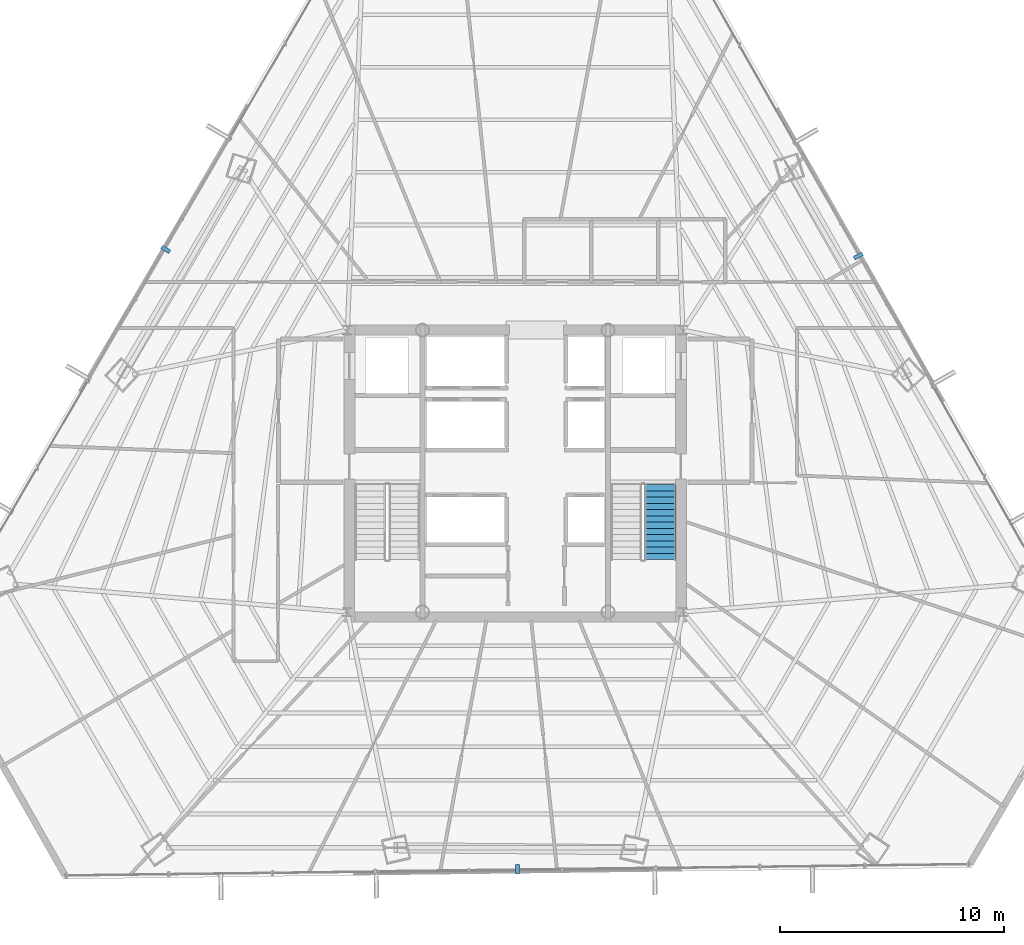
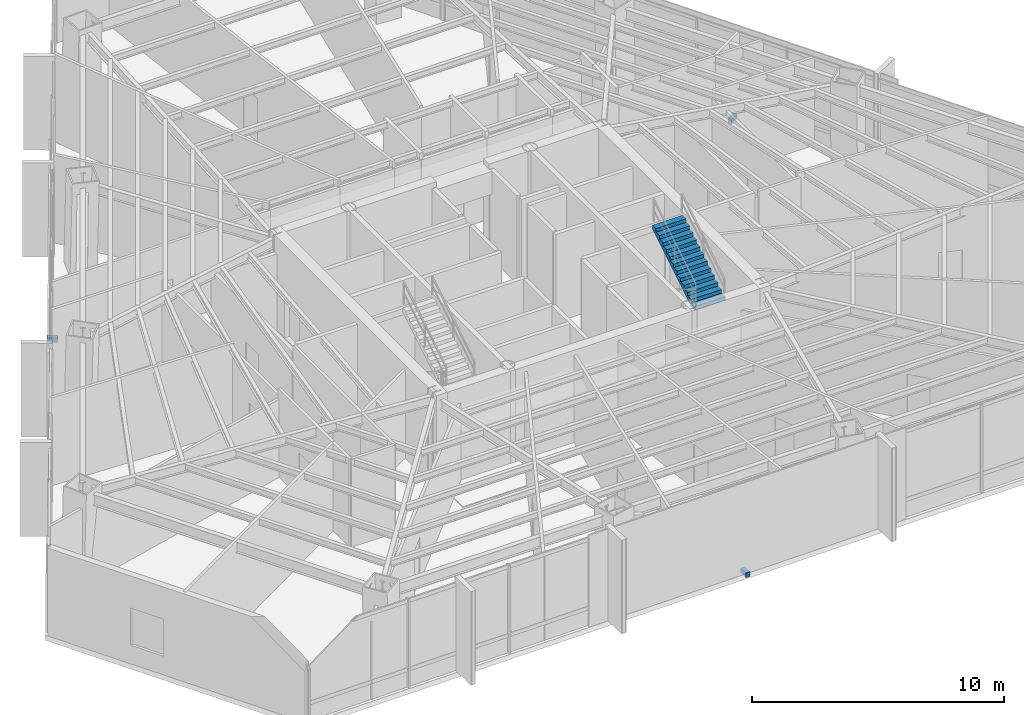
# One storey, part 34 of 37: 3 discrete accessories, 1 stair flight, 1 element without a shape of its own.
"""IFC4 building model written with IfcOpenShell, lengths in metres."""

from ifc_helpers import new_model, si_unit, direction, frame, origin, origin_2d, place, context, subcontext, project, spatial, polyline, rectangle, outline, extrude, source, transform, mapped, material, type_object, type_shapes, element, aggregate, save


model = new_model("IFC4")

# Units and contexts
model_context = context("Model", 3, precision=1e-05, world=origin(), true_north=direction((0.0, 1.0)))
body_context = subcontext(model_context, "Body", "Model", "MODEL_VIEW")
ifc_project = project(units=[si_unit("LENGTHUNIT", "METRE"), si_unit("AREAUNIT", "SQUARE_METRE"), si_unit("VOLUMEUNIT", "CUBIC_METRE"), si_unit("PLANEANGLEUNIT", "RADIAN"), si_unit("MASSUNIT", "GRAM", prefix="KILO")], contexts=[model_context])

# Site, building, storey
site_placement = place(None, origin())
site = spatial("IfcSite", under=ifc_project, at=site_placement, CompositionType="ELEMENT")
building_placement = place(site_placement, origin())
building = spatial("IfcBuilding", under=site, at=building_placement, Name="Caelisora Broadcast Tower", CompositionType="ELEMENT")
storey_placement = place(building_placement, frame((0.0, 0.0, 127.300048828125)))
storey = spatial("IfcBuildingStorey", under=building, at=storey_placement, Name="L33", CompositionType="ELEMENT", Elevation=127.300048828125)

# Stair, stair flight
ifc_material_1 = material(Name="Concrete 40 MPa (AS 3600 N40)", Category="concrete")
stair_type = type_object("IfcStairType", Name="ST-2", PredefinedType="HALF_TURN_STAIR", material=ifc_material_1)
stair_placement = place(storey_placement, origin())
stair = element("IfcStair", 1, at=stair_placement, inside=storey, type_object=stair_type, Name="L33 East Fire-Isolated Tower Stair", PredefinedType="HALF_TURN_STAIR")
stair_flight_type = type_object("IfcStairFlightType", Name="STF-2", PredefinedType="STRAIGHT", material=ifc_material_1)
stair_flight_placement = place(storey_placement, frame((44.47998046875, 19.739990234375, 2.25), z_axis=(0.0, 0.0, 1.0), x_axis=(0.0, 1.0, 0.0)))
stair_flight = element("IfcStairFlight", 2, at=stair_flight_placement, type_object=stair_flight_type, Name="ST-2 flight 2", NumberOfRisers=13, NumberOfTreads=12, PredefinedType="STRAIGHT", RiserHeight=0.173076923, TreadLength=0.28, context=body_context, shape_type="SweptSolid", body=[
    extrude(outline(polyline([(0.0, 0.0), (0.0, 0.173095703125), (0.280029296875, 0.173095703125), (0.280029296875, 0.34619140625), (0.56005859375, 0.34619140625), (0.56005859375, 0.519287109375), (0.840087890625, 0.519287109375), (0.840087890625, 0.6923828125), (1.1201171875, 0.6923828125), (1.1201171875, 0.865478515625), (1.39990234375, 0.865478515625), (1.39990234375, 1.03857421875), (1.679931640625, 1.03857421875), (1.679931640625, 1.21142578125), (1.9599609375, 1.21142578125), (1.9599609375, 1.384521484375), (2.239990234375, 1.384521484375), (2.239990234375, 1.5576171875), (2.52001953125, 1.5576171875), (2.52001953125, 1.730712890625), (2.800048828125, 1.730712890625), (2.800048828125, 1.90380859375), (3.080078125, 1.90380859375), (3.080078125, 2.076904296875), (3.360107421875, 2.076904296875), (3.360107421875, 2.25), (3.360107421875, 1.900634765625), (0.28515625, 0.0), (0.0, 0.0)])), frame((0.0, 0.699951171875, 0.0), z_axis=(0.0, -1.0, 0.0), x_axis=(1.0, 0.0, 0.0)), (0.0, 0.0, 1.0), 1.39990234375),
])
aggregate(stair, [stair_flight])

# Discrete accessories
ifc_material_2 = material(Name="Steel Grade 350 (AS/NZS 3679.1)", Category="steel")
discrete_accessory_type = type_object("IfcDiscreteAccessoryType", Name="BRK-1", PredefinedType="BRACKET", material=ifc_material_2)
shared_shape = source(origin(), body_context, "Body", "SweptSolid", [
    extrude(rectangle(XDim=0.179931640625, YDim=0.419921875, at=origin_2d()), origin(), (0.0, 0.0, 1.0), 0.219970703125),
])
type_shapes(discrete_accessory_type, [shared_shape])
for number, where, z_axis, x_axis, name in (
    (3, (22.37548828125, 33.609619140625, -0.16015625), (0.0, 0.0, 1.0), (-0.504527623815, -0.863395550607, 0.0), "L33 solar screen outrigger bracket #1"),
    (4, (38.102783203125, 5.8984375, -0.16015625), (0.0, 0.0, 1.0), (0.999921044204, 0.012566039883, 0.0), "L33 solar screen outrigger bracket #2"),
    (5, (53.341064453125, 33.316162109375, -0.16015625), (0.0, 0.0, 1.0), (-0.493638325511, 0.869667294767, 0.0), "L33 solar screen outrigger bracket #3"),
):
    element("IfcDiscreteAccessory", number, at=place(storey_placement, frame(where, z_axis=z_axis, x_axis=x_axis)), inside=storey, type_object=discrete_accessory_type, Name=name, PredefinedType="BRACKET", context=body_context, shape_type="MappedRepresentation", body=[
        mapped(shared_shape, transform((0.0, 0.0, 0.0), scale=1.0)),
    ])

save(model, "model.ifc")
